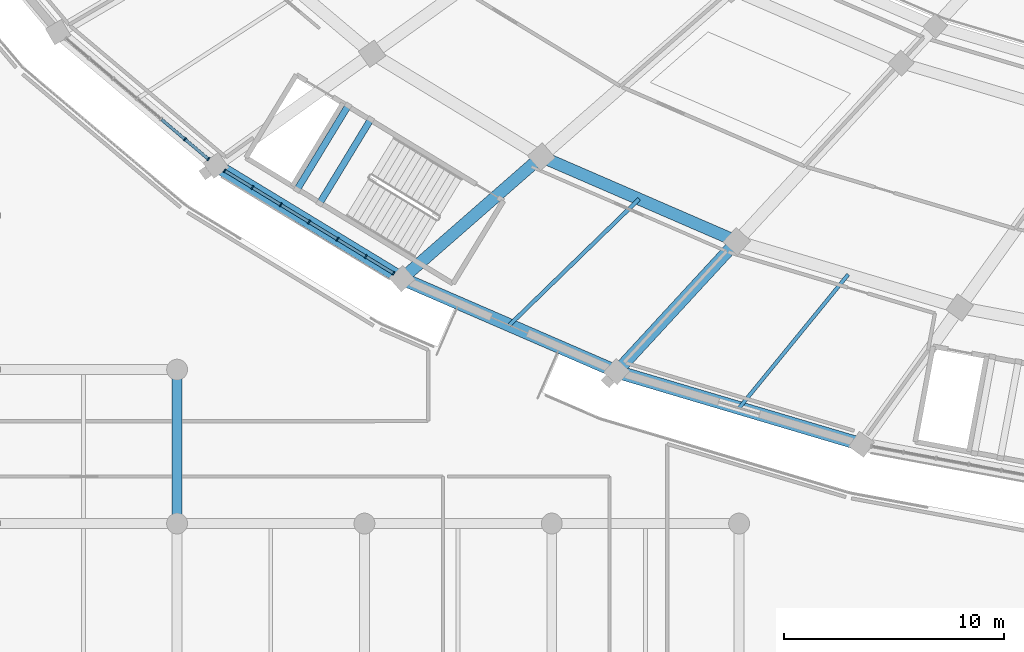
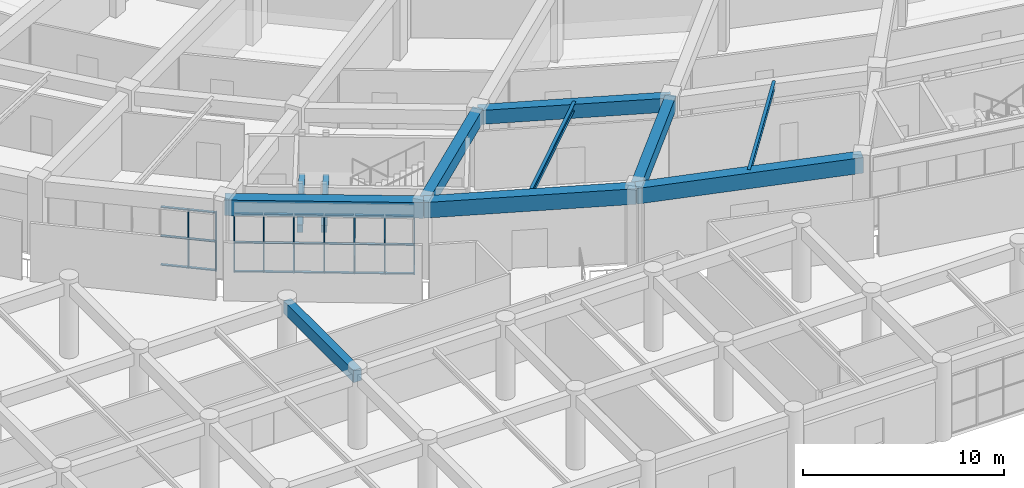
# One storey, part 15 of 152: 33 members, 11 beams, 2 elements without a shape of their own.
"""IFC4 building model written with IfcOpenShell, lengths in metres."""

from ifc_helpers import new_model, si_unit, direction, frame, origin, origin_2d, place, context, subcontext, project, spatial, rectangle, i_section, extrude, material, layer, layer_set, material_profile, profile_set, type_object, element, aggregate, save


model = new_model("IFC4")

# Units and contexts
model_context = context("Model", 3, precision=1e-05, world=origin(), true_north=direction((0.0, 1.0)))
body_context = subcontext(model_context, "Body", "Model", "MODEL_VIEW")
ifc_project = project(units=[si_unit("LENGTHUNIT", "METRE"), si_unit("AREAUNIT", "SQUARE_METRE"), si_unit("VOLUMEUNIT", "CUBIC_METRE"), si_unit("PLANEANGLEUNIT", "RADIAN"), si_unit("MASSUNIT", "GRAM", prefix="KILO")], contexts=[model_context])

# Site, building, storey
site_placement = place(None, origin())
site = spatial("IfcSite", under=ifc_project, at=site_placement, CompositionType="ELEMENT")
building_placement = place(site_placement, origin())
building = spatial("IfcBuilding", under=site, at=building_placement, Name="Mphavela Belvedere Stadium", CompositionType="ELEMENT")
storey_placement = place(building_placement, frame((0.0, 0.0, 5.39990234375)))
storey = spatial("IfcBuildingStorey", under=building, at=storey_placement, Name="L01", CompositionType="ELEMENT", Elevation=5.39990234375)

# Beams
ifc_material_1 = material(Name="Concrete C40/50", Category="concrete")
ifc_material_profile_1 = material_profile(ifc_material_1, rectangle(XDim=0.60009765625, YDim=0.949951171875, at=origin_2d()), Name="RC 600x950")
ifc_profile_set_1 = profile_set([ifc_material_profile_1], Name="Concrete C40/50")
beam_type_1 = type_object("IfcBeamType", Name="BM-ENTABLATURE-950", PredefinedType="SPANDREL", material=ifc_profile_set_1)
beam_1_placement = place(storey_placement, frame((35.844482421875, 30.285400390625, 4.0751953125), z_axis=(0.854326607994, -0.51973651678, 0.0), x_axis=(0.51973651678, 0.854326607994, 0.0)))
element("IfcBeam", 1, at=beam_1_placement, inside=storey, type_object=beam_type_1, Name="Circumferential girder L01 R4-31", PredefinedType="SPANDREL", context=body_context, shape_type="SweptSolid", body=[
    extrude(rectangle(XDim=0.60009765625, YDim=0.949951171875, at=origin_2d()), origin(), (0.0, 0.0, 1.0), 9.901611328125),
])
beam_2_placement = place(storey_placement, frame((44.3037109375, 25.13916015625, 4.0751953125), z_axis=(0.91749867224, -0.397738842004, 0.0), x_axis=(0.397738842004, 0.91749867224, 0.0)))
element("IfcBeam", 2, at=beam_2_placement, inside=storey, type_object=beam_type_1, Name="Circumferential girder L01 R4-32", PredefinedType="SPANDREL", context=body_context, shape_type="SweptSolid", body=[
    extrude(rectangle(XDim=0.60009765625, YDim=0.949951171875, at=origin_2d()), origin(), (0.0, 0.0, 1.0), 10.63623046875),
])
beam_3_placement = place(storey_placement, frame((54.0625, 20.90869140625, 4.0751953125), z_axis=(0.958656362639, -0.284566298727, 0.0), x_axis=(0.284566298727, 0.958656362639, 0.0)))
element("IfcBeam", 3, at=beam_3_placement, inside=storey, type_object=beam_type_1, Name="Circumferential girder L01 R4-33", PredefinedType="SPANDREL", context=body_context, shape_type="SweptSolid", body=[
    extrude(rectangle(XDim=0.60009765625, YDim=0.949951171875, at=origin_2d()), origin(), (0.0, 0.0, 1.0), 11.616455078125),
])
ifc_material_2 = material(Name="Steel S355", Category="steel")
ifc_material_profile_2 = material_profile(ifc_material_2, i_section(OverallWidth=0.169921875, OverallDepth=0.360107421875, WebThickness=0.008056640625, FlangeThickness=0.0126953125, at=origin_2d()), Name="IPE 360")
ifc_profile_set_2 = profile_set([ifc_material_profile_2], Name="Steel S355")
beam_type_2 = type_object("IfcBeamType", Name="BM-JOIST-IPE360", PredefinedType="JOIST", material=ifc_profile_set_2)
beam_4_placement = place(storey_placement, frame((64.593017578125, 25.327392578125, 4.3701171875), z_axis=(-0.632839277586, -0.774283183818, 0.0), x_axis=(0.774283183818, -0.632839277586, 0.0)))
element("IfcBeam", 4, at=beam_4_placement, inside=storey, type_object=beam_type_2, Name="Concourse floor joist L01-33", PredefinedType="JOIST", context=body_context, shape_type="SweptSolid", body=[
    extrude(i_section(OverallWidth=0.169921875, OverallDepth=0.360107421875, WebThickness=0.008056640625, FlangeThickness=0.0126953125, at=origin_2d()), origin(), (0.0, 0.0, 1.0), 7.841552734375),
])
ifc_material_3 = material(Name="Steel S355", Category="steel")
ifc_material_profile_3 = material_profile(ifc_material_3, i_section(OverallWidth=0.179931640625, OverallDepth=0.39990234375, WebThickness=0.008544921875, FlangeThickness=0.013427734375, at=origin_2d()), Name="IPE 400")
ifc_profile_set_3 = profile_set([ifc_material_profile_3], Name="Steel S355")
beam_type_3 = type_object("IfcBeamType", Name="BM-JOIST-IPE400", PredefinedType="JOIST", material=ifc_profile_set_3)
beam_5_placement = place(storey_placement, frame((55.081787109375, 28.757568359375, 4.35009765625), z_axis=(-0.717067022089, -0.697004222249, 0.0), x_axis=(0.697004222249, -0.717067022089, 0.0)))
element("IfcBeam", 5, at=beam_5_placement, inside=storey, type_object=beam_type_3, Name="Concourse floor joist L01-32", PredefinedType="JOIST", context=body_context, shape_type="SweptSolid", body=[
    extrude(i_section(OverallWidth=0.179931640625, OverallDepth=0.39990234375, WebThickness=0.008544921875, FlangeThickness=0.013427734375, at=origin_2d()), origin(), (0.0, 0.0, 1.0), 8.22607421875),
])
ifc_material_4 = material(Name="Concrete C40/50", Category="concrete")
ifc_material_profile_4 = material_profile(ifc_material_4, rectangle(XDim=0.300048828125, YDim=0.449951171875, at=origin_2d()), Name="RC 300x450")
ifc_profile_set_4 = profile_set([ifc_material_profile_4], Name="Concrete C40/50")
beam_type_4 = type_object("IfcBeamType", Name="BM-RC300x450", PredefinedType="BEAM", material=ifc_profile_set_4)
for number, where, z_axis, x_axis, name in (
    (6, (42.879150390625, 32.381591796875, 1.97509765625), (-0.519674893272, -0.854364094109, 0.0), (0.854364094109, -0.519674893272, 0.0), "Core C10 landing trimmer beam L01-1"),
    (7, (41.85400390625, 33.005126953125, 1.97509765625), (-0.519674893272, -0.854364094109, 0.0), (0.854364094109, -0.519674893272, 0.0), "Core C10 landing trimmer beam L01-2"),
):
    element("IfcBeam", number, at=place(storey_placement, frame(where, z_axis=z_axis, x_axis=x_axis)), inside=storey, type_object=beam_type_4, Name=name, PredefinedType="BEAM", context=body_context, shape_type="SweptSolid", body=[
        extrude(rectangle(XDim=0.300048828125, YDim=0.449951171875, at=origin_2d()), origin(), (0.0, 0.0, 1.0), 4.47021484375),
    ])
ifc_material_5 = material(Name="Concrete C40/50", Category="concrete")
ifc_material_profile_5 = material_profile(ifc_material_5, rectangle(XDim=0.449951171875, YDim=0.75, at=origin_2d()), Name="RC 450x750")
ifc_profile_set_5 = profile_set([ifc_material_profile_5], Name="Concrete C40/50")
beam_type_5 = type_object("IfcBeamType", Name="BM-RC450x750", PredefinedType="BEAM", material=ifc_profile_set_5)
beam_6_placement = place(storey_placement, frame((34.073974609375, 14.0, 4.1650390625), z_axis=(0.0, 1.0, 0.0), x_axis=(-1.0, 0.0, 0.0)))
element("IfcBeam", 8, at=beam_6_placement, inside=storey, type_object=beam_type_5, Name="South Axial Triumphal Peristyle Portico entablature beam Y L01 5-3", PredefinedType="BEAM", context=body_context, shape_type="SweptSolid", body=[
    extrude(rectangle(XDim=0.449951171875, YDim=0.75, at=origin_2d()), origin(), (0.0, 0.0, 1.0), 7.0),
])
ifc_material_6 = material(Name="Concrete C40/50", Category="concrete")
ifc_material_profile_6 = material_profile(ifc_material_6, rectangle(XDim=0.550048828125, YDim=0.85009765625, at=origin_2d()), Name="RC 550x850")
ifc_profile_set_6 = profile_set([ifc_material_profile_6], Name="Concrete C40/50")
beam_type_6 = type_object("IfcBeamType", Name="BM-RC550x850", PredefinedType="BEAM", material=ifc_profile_set_6)
beam_7_placement = place(storey_placement, frame((50.639892578125, 30.68310546875, 4.125), z_axis=(0.917501650019, -0.397731972832, 0.0), x_axis=(0.397731972832, 0.917501650019, 0.0)))
element("IfcBeam", 9, at=beam_7_placement, inside=storey, type_object=beam_type_6, Name="Circumferential girder L01 R3-32", PredefinedType="BEAM", context=body_context, shape_type="SweptSolid", body=[
    extrude(rectangle(XDim=0.550048828125, YDim=0.85009765625, at=origin_2d()), origin(), (0.0, 0.0, 1.0), 9.6826171875),
])
beam_8_placement = place(storey_placement, frame((50.639892578125, 30.68310546875, 4.125), z_axis=(-0.752589268993, -0.658490236978, 0.0), x_axis=(0.658490236978, -0.752589268993, 0.0)))
element("IfcBeam", 10, at=beam_8_placement, inside=storey, type_object=beam_type_6, Name="Radial concourse girder L01 R3R4-32", PredefinedType="BEAM", context=body_context, shape_type="SweptSolid", body=[
    extrude(rectangle(XDim=0.550048828125, YDim=0.85009765625, at=origin_2d()), origin(), (0.0, 0.0, 1.0), 8.419189453125),
])
beam_9_placement = place(storey_placement, frame((59.523681640625, 26.83203125, 4.125), z_axis=(-0.67784325477, -0.735206448532, 0.0), x_axis=(0.735206448532, -0.67784325477, 0.0)))
element("IfcBeam", 11, at=beam_9_placement, inside=storey, type_object=beam_type_6, Name="Radial concourse girder L01 R3R4-33", PredefinedType="BEAM", context=body_context, shape_type="SweptSolid", body=[
    extrude(rectangle(XDim=0.550048828125, YDim=0.85009765625, at=origin_2d()), origin(), (0.0, 0.0, 1.0), 8.056640625),
])

# Curtain wall, members
ifc_material_7 = material(Name="Anodised bronze unitised curtain wall framing")
ifc_layer_1 = layer(ifc_material_7, 0.205078125)
ifc_layer_set_1 = layer_set([ifc_layer_1], Name="Anodised bronze unitised curtain wall framing")
curtain_wall_type_1 = type_object("IfcCurtainWallType", Name="CW-UNIT-06", PredefinedType="USERDEFINED", material=ifc_layer_set_1)
curtain_wall_1_placement = place(storey_placement, origin())
curtain_wall_1 = element("IfcCurtainWall", 12, at=curtain_wall_1_placement, inside=storey, type_object=curtain_wall_type_1, Name="Belvedere colonnade curtain wall L01-30", ObjectType="UNITISED CURTAIN WALL", PredefinedType="USERDEFINED")
ifc_material_8 = material(Name="Anodised bronze extruded aluminium", Category="aluminium")
ifc_material_profile_7 = material_profile(ifc_material_8, rectangle(XDim=0.179931640625, YDim=0.06494140625, at=origin_2d()), Name="CW-MUL 180x65")
ifc_profile_set_7 = profile_set([ifc_material_profile_7], Name="Anodised bronze extruded aluminium")
member_type_1 = type_object("IfcMemberType", Name="CWM-180x65", PredefinedType="MULLION", material=ifc_profile_set_7)
member_1_placement = place(storey_placement, frame((34.431640625, 31.4775390625, 0.0), z_axis=(0.0, 0.0, 1.0), x_axis=(0.644909572272, 0.76425888519, 0.0)))
member_1 = element("IfcMember", 13, at=member_1_placement, type_object=member_type_1, Name="CW-06 mullion 6", PredefinedType="MULLION", context=body_context, shape_type="SweptSolid", body=[
    extrude(rectangle(XDim=0.179931640625, YDim=0.06494140625, at=origin_2d()), origin(), (0.0, 0.0, 1.0), 3.570068359375),
])
member_2_placement = place(storey_placement, frame((35.496337890625, 30.579345703125, 0.0), z_axis=(0.0, 0.0, 1.0), x_axis=(0.644909572272, 0.76425888519, 0.0)))
member_2 = element("IfcMember", 14, at=member_2_placement, type_object=member_type_1, Name="CW-06 mullion 7", PredefinedType="MULLION", context=body_context, shape_type="SweptSolid", body=[
    extrude(rectangle(XDim=0.179931640625, YDim=0.06494140625, at=origin_2d()), origin(), (0.0, 0.0, 1.0), 3.570068359375),
])

ifc_material_9 = material(Name="Anodised bronze unitised curtain wall framing")
ifc_layer_2 = layer(ifc_material_9, 0.179931640625)
ifc_layer_set_2 = layer_set([ifc_layer_2], Name="Anodised bronze unitised curtain wall framing")
curtain_wall_type_2 = type_object("IfcCurtainWallType", Name="CW-UNIT-01", PredefinedType="USERDEFINED", material=ifc_layer_set_2)
curtain_wall_2_placement = place(storey_placement, origin())
curtain_wall_2 = element("IfcCurtainWall", 15, at=curtain_wall_2_placement, inside=storey, type_object=curtain_wall_type_2, Name="Belvedere colonnade curtain wall L01-31", ObjectType="UNITISED CURTAIN WALL", PredefinedType="USERDEFINED")
member_3_placement = place(storey_placement, frame((36.233642578125, 30.048828125, 0.0), z_axis=(0.0, 0.0, 1.0), x_axis=(0.51973463728, 0.8543277514, 0.0)))
member_3 = element("IfcMember", 16, at=member_3_placement, type_object=member_type_1, Name="CW-01 mullion 1", PredefinedType="MULLION", context=body_context, shape_type="SweptSolid", body=[
    extrude(rectangle(XDim=0.179931640625, YDim=0.06494140625, at=origin_2d()), origin(), (0.0, 0.0, 1.0), 3.570068359375),
])
member_4_placement = place(storey_placement, frame((37.4951171875, 29.28125, 0.0), z_axis=(0.0, 0.0, 1.0), x_axis=(0.51973463728, 0.8543277514, 0.0)))
member_4 = element("IfcMember", 17, at=member_4_placement, type_object=member_type_1, Name="CW-01 mullion 2", PredefinedType="MULLION", context=body_context, shape_type="SweptSolid", body=[
    extrude(rectangle(XDim=0.179931640625, YDim=0.06494140625, at=origin_2d()), origin(), (0.0, 0.0, 1.0), 3.570068359375),
])
member_5_placement = place(storey_placement, frame((38.78466796875, 28.496826171875, 0.0), z_axis=(0.0, 0.0, 1.0), x_axis=(0.51973463728, 0.8543277514, 0.0)))
member_5 = element("IfcMember", 18, at=member_5_placement, type_object=member_type_1, Name="CW-01 mullion 3", PredefinedType="MULLION", context=body_context, shape_type="SweptSolid", body=[
    extrude(rectangle(XDim=0.179931640625, YDim=0.06494140625, at=origin_2d()), origin(), (0.0, 0.0, 1.0), 3.570068359375),
])
member_6_placement = place(storey_placement, frame((40.07421875, 27.71240234375, 0.0), z_axis=(0.0, 0.0, 1.0), x_axis=(0.51973463728, 0.8543277514, 0.0)))
member_6 = element("IfcMember", 19, at=member_6_placement, type_object=member_type_1, Name="CW-01 mullion 4", PredefinedType="MULLION", context=body_context, shape_type="SweptSolid", body=[
    extrude(rectangle(XDim=0.179931640625, YDim=0.06494140625, at=origin_2d()), origin(), (0.0, 0.0, 1.0), 3.570068359375),
])
member_7_placement = place(storey_placement, frame((41.363525390625, 26.927978515625, 0.0), z_axis=(0.0, 0.0, 1.0), x_axis=(0.51973463728, 0.8543277514, 0.0)))
member_7 = element("IfcMember", 20, at=member_7_placement, type_object=member_type_1, Name="CW-01 mullion 5", PredefinedType="MULLION", context=body_context, shape_type="SweptSolid", body=[
    extrude(rectangle(XDim=0.179931640625, YDim=0.06494140625, at=origin_2d()), origin(), (0.0, 0.0, 1.0), 3.570068359375),
])
member_8_placement = place(storey_placement, frame((42.653076171875, 26.1435546875, 0.0), z_axis=(0.0, 0.0, 1.0), x_axis=(0.51973463728, 0.8543277514, 0.0)))
member_8 = element("IfcMember", 21, at=member_8_placement, type_object=member_type_1, Name="CW-01 mullion 6", PredefinedType="MULLION", context=body_context, shape_type="SweptSolid", body=[
    extrude(rectangle(XDim=0.179931640625, YDim=0.06494140625, at=origin_2d()), origin(), (0.0, 0.0, 1.0), 3.570068359375),
])
member_9_placement = place(storey_placement, frame((43.91455078125, 25.3759765625, 0.0), z_axis=(0.0, 0.0, 1.0), x_axis=(0.51973463728, 0.8543277514, 0.0)))
member_9 = element("IfcMember", 22, at=member_9_placement, type_object=member_type_1, Name="CW-01 mullion 7", PredefinedType="MULLION", context=body_context, shape_type="SweptSolid", body=[
    extrude(rectangle(XDim=0.179931640625, YDim=0.06494140625, at=origin_2d()), origin(), (0.0, 0.0, 1.0), 3.570068359375),
])

# Member
ifc_material_10 = material(Name="Anodised bronze extruded aluminium", Category="aluminium")
ifc_material_profile_8 = material_profile(ifc_material_10, rectangle(XDim=0.139892578125, YDim=0.06005859375, at=origin_2d()), Name="CW-TRN 140x60")
ifc_profile_set_8 = profile_set([ifc_material_profile_8], Name="Anodised bronze extruded aluminium")
member_type_2 = type_object("IfcMemberType", Name="CWT-140x60", PredefinedType="USERDEFINED", material=ifc_profile_set_8)
member_10_placement = place(storey_placement, frame((33.3671875, 32.375732421875, 0.030029296875), z_axis=(0.764338471847, -0.644815245209, 0.0), x_axis=(0.644815245209, 0.764338471847, 0.0)))
member_10 = element("IfcMember", 23, at=member_10_placement, type_object=member_type_2, Name="CW-06 transom 5.1", ObjectType="TRANSOM", PredefinedType="USERDEFINED", context=body_context, shape_type="SweptSolid", body=[
    extrude(rectangle(XDim=0.139892578125, YDim=0.06005859375, at=origin_2d()), origin(), (0.0, 0.0, 1.0), 1.3603515625),
])

member_11_placement = place(storey_placement, frame((33.3671875, 32.375732421875, 1.78515625), z_axis=(0.764338471847, -0.644815245209, 0.0), x_axis=(0.644815245209, 0.764338471847, 0.0)))
member_11 = element("IfcMember", 24, at=member_11_placement, type_object=member_type_2, Name="CW-06 transom 5.2", ObjectType="TRANSOM", PredefinedType="USERDEFINED", context=body_context, shape_type="SweptSolid", body=[
    extrude(rectangle(XDim=0.139892578125, YDim=0.06005859375, at=origin_2d()), origin(), (0.0, 0.0, 1.0), 1.3603515625),
])

member_12_placement = place(storey_placement, frame((33.3671875, 32.375732421875, 3.5400390625), z_axis=(0.764338471847, -0.644815245209, 0.0), x_axis=(0.644815245209, 0.764338471847, 0.0)))
member_12 = element("IfcMember", 25, at=member_12_placement, type_object=member_type_2, Name="CW-06 transom 5.3", ObjectType="TRANSOM", PredefinedType="USERDEFINED", context=body_context, shape_type="SweptSolid", body=[
    extrude(rectangle(XDim=0.139892578125, YDim=0.06005859375, at=origin_2d()), origin(), (0.0, 0.0, 1.0), 1.3603515625),
])

member_13_placement = place(storey_placement, frame((34.45654296875, 31.45654296875, 0.030029296875), z_axis=(0.764243344003, -0.644927989118, 0.0), x_axis=(0.644927989118, 0.764243344003, 0.0)))
member_13 = element("IfcMember", 26, at=member_13_placement, type_object=member_type_2, Name="CW-06 transom 6.1", ObjectType="TRANSOM", PredefinedType="USERDEFINED", context=body_context, shape_type="SweptSolid", body=[
    extrude(rectangle(XDim=0.139892578125, YDim=0.06005859375, at=origin_2d()), origin(), (0.0, 0.0, 1.0), 1.327880859375),
])

member_14_placement = place(storey_placement, frame((34.45654296875, 31.45654296875, 1.78515625), z_axis=(0.764243344003, -0.644927989118, 0.0), x_axis=(0.644927989118, 0.764243344003, 0.0)))
member_14 = element("IfcMember", 27, at=member_14_placement, type_object=member_type_2, Name="CW-06 transom 6.2", ObjectType="TRANSOM", PredefinedType="USERDEFINED", context=body_context, shape_type="SweptSolid", body=[
    extrude(rectangle(XDim=0.139892578125, YDim=0.06005859375, at=origin_2d()), origin(), (0.0, 0.0, 1.0), 1.327880859375),
])

member_15_placement = place(storey_placement, frame((34.45654296875, 31.45654296875, 3.5400390625), z_axis=(0.764243344003, -0.644927989118, 0.0), x_axis=(0.644927989118, 0.764243344003, 0.0)))
member_15 = element("IfcMember", 28, at=member_15_placement, type_object=member_type_2, Name="CW-06 transom 6.3", ObjectType="TRANSOM", PredefinedType="USERDEFINED", context=body_context, shape_type="SweptSolid", body=[
    extrude(rectangle(XDim=0.139892578125, YDim=0.06005859375, at=origin_2d()), origin(), (0.0, 0.0, 1.0), 1.327880859375),
])

aggregate(curtain_wall_1, [member_1, member_2, member_10, member_11, member_12, member_13, member_14, member_15])

member_16_placement = place(storey_placement, frame((36.26123046875, 30.03173828125, 0.030029296875), z_axis=(0.854395503331, -0.519623251874, 0.0), x_axis=(0.519623251874, 0.854395503331, 0.0)))
member_16 = element("IfcMember", 29, at=member_16_placement, type_object=member_type_2, Name="CW-01 transom 1.1", ObjectType="TRANSOM", PredefinedType="USERDEFINED", context=body_context, shape_type="SweptSolid", body=[
    extrude(rectangle(XDim=0.139892578125, YDim=0.06005859375, at=origin_2d()), origin(), (0.0, 0.0, 1.0), 1.411865234375),
])

member_17_placement = place(storey_placement, frame((36.26123046875, 30.03173828125, 1.78515625), z_axis=(0.854395503331, -0.519623251874, 0.0), x_axis=(0.519623251874, 0.854395503331, 0.0)))
member_17 = element("IfcMember", 30, at=member_17_placement, type_object=member_type_2, Name="CW-01 transom 1.2", ObjectType="TRANSOM", PredefinedType="USERDEFINED", context=body_context, shape_type="SweptSolid", body=[
    extrude(rectangle(XDim=0.139892578125, YDim=0.06005859375, at=origin_2d()), origin(), (0.0, 0.0, 1.0), 1.411865234375),
])

member_18_placement = place(storey_placement, frame((36.26123046875, 30.03173828125, 3.5400390625), z_axis=(0.854395503331, -0.519623251874, 0.0), x_axis=(0.519623251874, 0.854395503331, 0.0)))
member_18 = element("IfcMember", 31, at=member_18_placement, type_object=member_type_2, Name="CW-01 transom 1.3", ObjectType="TRANSOM", PredefinedType="USERDEFINED", context=body_context, shape_type="SweptSolid", body=[
    extrude(rectangle(XDim=0.139892578125, YDim=0.06005859375, at=origin_2d()), origin(), (0.0, 0.0, 1.0), 1.411865234375),
])

member_19_placement = place(storey_placement, frame((37.52294921875, 29.26416015625, 0.030029296875), z_axis=(0.85437478406, -0.519657318203, 0.0), x_axis=(0.519657318203, 0.85437478406, 0.0)))
member_19 = element("IfcMember", 32, at=member_19_placement, type_object=member_type_2, Name="CW-01 transom 2.1", ObjectType="TRANSOM", PredefinedType="USERDEFINED", context=body_context, shape_type="SweptSolid", body=[
    extrude(rectangle(XDim=0.139892578125, YDim=0.06005859375, at=origin_2d()), origin(), (0.0, 0.0, 1.0), 1.444091796875),
])

member_20_placement = place(storey_placement, frame((37.52294921875, 29.26416015625, 1.78515625), z_axis=(0.85437478406, -0.519657318203, 0.0), x_axis=(0.519657318203, 0.85437478406, 0.0)))
member_20 = element("IfcMember", 33, at=member_20_placement, type_object=member_type_2, Name="CW-01 transom 2.2", ObjectType="TRANSOM", PredefinedType="USERDEFINED", context=body_context, shape_type="SweptSolid", body=[
    extrude(rectangle(XDim=0.139892578125, YDim=0.06005859375, at=origin_2d()), origin(), (0.0, 0.0, 1.0), 1.444091796875),
])

member_21_placement = place(storey_placement, frame((37.52294921875, 29.26416015625, 3.5400390625), z_axis=(0.85437478406, -0.519657318203, 0.0), x_axis=(0.519657318203, 0.85437478406, 0.0)))
member_21 = element("IfcMember", 34, at=member_21_placement, type_object=member_type_2, Name="CW-01 transom 2.3", ObjectType="TRANSOM", PredefinedType="USERDEFINED", context=body_context, shape_type="SweptSolid", body=[
    extrude(rectangle(XDim=0.139892578125, YDim=0.06005859375, at=origin_2d()), origin(), (0.0, 0.0, 1.0), 1.444091796875),
])

member_22_placement = place(storey_placement, frame((38.8125, 28.479736328125, 0.030029296875), z_axis=(0.85437478406, -0.519657318203, 0.0), x_axis=(0.519657318203, 0.85437478406, 0.0)))
member_22 = element("IfcMember", 35, at=member_22_placement, type_object=member_type_2, Name="CW-01 transom 3.1", ObjectType="TRANSOM", PredefinedType="USERDEFINED", context=body_context, shape_type="SweptSolid", body=[
    extrude(rectangle(XDim=0.139892578125, YDim=0.06005859375, at=origin_2d()), origin(), (0.0, 0.0, 1.0), 1.444091796875),
])

member_23_placement = place(storey_placement, frame((38.8125, 28.479736328125, 1.78515625), z_axis=(0.85437478406, -0.519657318203, 0.0), x_axis=(0.519657318203, 0.85437478406, 0.0)))
member_23 = element("IfcMember", 36, at=member_23_placement, type_object=member_type_2, Name="CW-01 transom 3.2", ObjectType="TRANSOM", PredefinedType="USERDEFINED", context=body_context, shape_type="SweptSolid", body=[
    extrude(rectangle(XDim=0.139892578125, YDim=0.06005859375, at=origin_2d()), origin(), (0.0, 0.0, 1.0), 1.444091796875),
])

member_24_placement = place(storey_placement, frame((38.8125, 28.479736328125, 3.5400390625), z_axis=(0.85437478406, -0.519657318203, 0.0), x_axis=(0.519657318203, 0.85437478406, 0.0)))
member_24 = element("IfcMember", 37, at=member_24_placement, type_object=member_type_2, Name="CW-01 transom 3.3", ObjectType="TRANSOM", PredefinedType="USERDEFINED", context=body_context, shape_type="SweptSolid", body=[
    extrude(rectangle(XDim=0.139892578125, YDim=0.06005859375, at=origin_2d()), origin(), (0.0, 0.0, 1.0), 1.444091796875),
])

member_25_placement = place(storey_placement, frame((40.101806640625, 27.6953125, 0.030029296875), z_axis=(0.85437478406, -0.519657318203, 0.0), x_axis=(0.519657318203, 0.85437478406, 0.0)))
member_25 = element("IfcMember", 38, at=member_25_placement, type_object=member_type_2, Name="CW-01 transom 4.1", ObjectType="TRANSOM", PredefinedType="USERDEFINED", context=body_context, shape_type="SweptSolid", body=[
    extrude(rectangle(XDim=0.139892578125, YDim=0.06005859375, at=origin_2d()), origin(), (0.0, 0.0, 1.0), 1.444091796875),
])

member_26_placement = place(storey_placement, frame((40.101806640625, 27.6953125, 1.78515625), z_axis=(0.85437478406, -0.519657318203, 0.0), x_axis=(0.519657318203, 0.85437478406, 0.0)))
member_26 = element("IfcMember", 39, at=member_26_placement, type_object=member_type_2, Name="CW-01 transom 4.2", ObjectType="TRANSOM", PredefinedType="USERDEFINED", context=body_context, shape_type="SweptSolid", body=[
    extrude(rectangle(XDim=0.139892578125, YDim=0.06005859375, at=origin_2d()), origin(), (0.0, 0.0, 1.0), 1.444091796875),
])

member_27_placement = place(storey_placement, frame((40.101806640625, 27.6953125, 3.5400390625), z_axis=(0.85437478406, -0.519657318203, 0.0), x_axis=(0.519657318203, 0.85437478406, 0.0)))
member_27 = element("IfcMember", 40, at=member_27_placement, type_object=member_type_2, Name="CW-01 transom 4.3", ObjectType="TRANSOM", PredefinedType="USERDEFINED", context=body_context, shape_type="SweptSolid", body=[
    extrude(rectangle(XDim=0.139892578125, YDim=0.06005859375, at=origin_2d()), origin(), (0.0, 0.0, 1.0), 1.444091796875),
])

member_28_placement = place(storey_placement, frame((41.391357421875, 26.910888671875, 0.030029296875), z_axis=(0.85437478406, -0.519657318203, 0.0), x_axis=(0.519657318203, 0.85437478406, 0.0)))
member_28 = element("IfcMember", 41, at=member_28_placement, type_object=member_type_2, Name="CW-01 transom 5.1", ObjectType="TRANSOM", PredefinedType="USERDEFINED", context=body_context, shape_type="SweptSolid", body=[
    extrude(rectangle(XDim=0.139892578125, YDim=0.06005859375, at=origin_2d()), origin(), (0.0, 0.0, 1.0), 1.444091796875),
])

member_29_placement = place(storey_placement, frame((41.391357421875, 26.910888671875, 1.78515625), z_axis=(0.85437478406, -0.519657318203, 0.0), x_axis=(0.519657318203, 0.85437478406, 0.0)))
member_29 = element("IfcMember", 42, at=member_29_placement, type_object=member_type_2, Name="CW-01 transom 5.2", ObjectType="TRANSOM", PredefinedType="USERDEFINED", context=body_context, shape_type="SweptSolid", body=[
    extrude(rectangle(XDim=0.139892578125, YDim=0.06005859375, at=origin_2d()), origin(), (0.0, 0.0, 1.0), 1.444091796875),
])

member_30_placement = place(storey_placement, frame((41.391357421875, 26.910888671875, 3.5400390625), z_axis=(0.85437478406, -0.519657318203, 0.0), x_axis=(0.519657318203, 0.85437478406, 0.0)))
member_30 = element("IfcMember", 43, at=member_30_placement, type_object=member_type_2, Name="CW-01 transom 5.3", ObjectType="TRANSOM", PredefinedType="USERDEFINED", context=body_context, shape_type="SweptSolid", body=[
    extrude(rectangle(XDim=0.139892578125, YDim=0.06005859375, at=origin_2d()), origin(), (0.0, 0.0, 1.0), 1.444091796875),
])

member_31_placement = place(storey_placement, frame((42.6806640625, 26.12646484375, 0.030029296875), z_axis=(0.854395503331, -0.519623251874, 0.0), x_axis=(0.519623251874, 0.854395503331, 0.0)))
member_31 = element("IfcMember", 44, at=member_31_placement, type_object=member_type_2, Name="CW-01 transom 6.1", ObjectType="TRANSOM", PredefinedType="USERDEFINED", context=body_context, shape_type="SweptSolid", body=[
    extrude(rectangle(XDim=0.139892578125, YDim=0.06005859375, at=origin_2d()), origin(), (0.0, 0.0, 1.0), 1.411865234375),
])

member_32_placement = place(storey_placement, frame((42.6806640625, 26.12646484375, 1.78515625), z_axis=(0.854395503331, -0.519623251874, 0.0), x_axis=(0.519623251874, 0.854395503331, 0.0)))
member_32 = element("IfcMember", 45, at=member_32_placement, type_object=member_type_2, Name="CW-01 transom 6.2", ObjectType="TRANSOM", PredefinedType="USERDEFINED", context=body_context, shape_type="SweptSolid", body=[
    extrude(rectangle(XDim=0.139892578125, YDim=0.06005859375, at=origin_2d()), origin(), (0.0, 0.0, 1.0), 1.411865234375),
])

member_33_placement = place(storey_placement, frame((42.6806640625, 26.12646484375, 3.5400390625), z_axis=(0.854395503331, -0.519623251874, 0.0), x_axis=(0.519623251874, 0.854395503331, 0.0)))
member_33 = element("IfcMember", 46, at=member_33_placement, type_object=member_type_2, Name="CW-01 transom 6.3", ObjectType="TRANSOM", PredefinedType="USERDEFINED", context=body_context, shape_type="SweptSolid", body=[
    extrude(rectangle(XDim=0.139892578125, YDim=0.06005859375, at=origin_2d()), origin(), (0.0, 0.0, 1.0), 1.411865234375),
])

aggregate(curtain_wall_2, [member_3, member_4, member_5, member_6, member_7, member_8, member_9, member_16, member_17, member_18, member_19, member_20, member_21, member_22, member_23, member_24, member_25, member_26, member_27, member_28, member_29, member_30, member_31, member_32, member_33])

save(model, "model.ifc")
